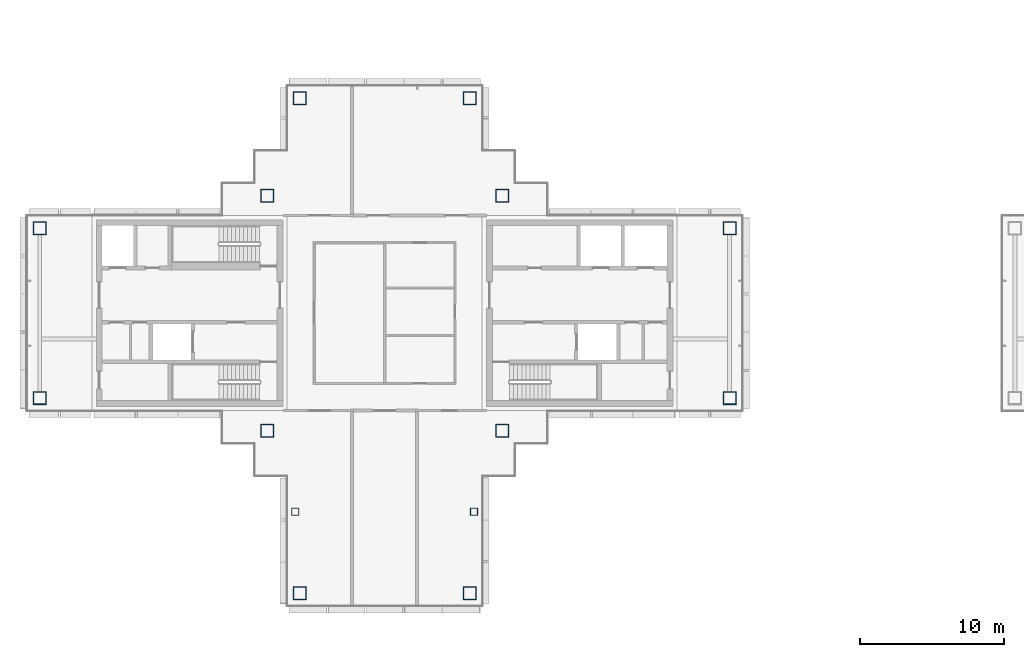
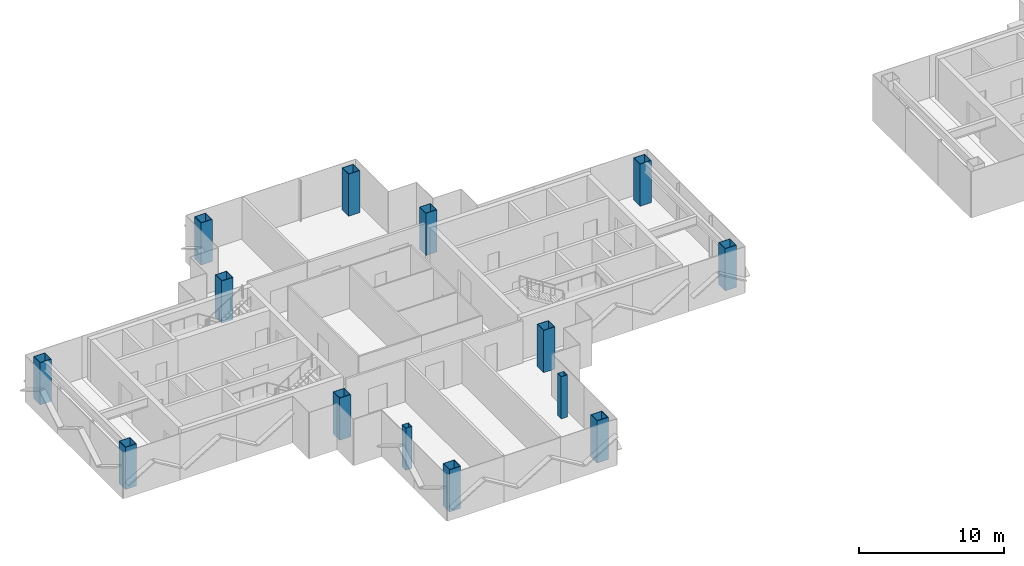
# One storey, part 1 of 17: 14 columns.
"""IFC4 building model written with IfcOpenShell, lengths in metres."""

import ifcopenshell
import ifcopenshell.guid

model = None  # the IFC model being written
_history = None  # IfcOwnerHistory: only IFC2X3 demands one
_inside = {}  # id of a spatial element -> (the spatial element, [elements in it])
_under = {}  # id of a project, library or spatial element -> (it, [spatial elements below it])
_declared = {}  # id of a project -> (the project, [libraries it declares])
_typed = {}  # id of a type object -> (the type object, [elements of that type])
_made_of = {}  # id of a material, layer set ... -> (it, [elements and type objects made of it])


def new_model(schema):
    """Start an empty IFC model of exactly this schema.

    Asked for "IFC4X3", IfcOpenShell would pick the latest addendum, in which some entities
    have other attributes; the version numbers below select the first issue.
    IFC2X3 requires an IfcOwnerHistory on every rooted entity: one is made here for all.
    """
    global model, _history
    if schema == "IFC4X3":
        model = ifcopenshell.file(schema_version=(4, 3, 0, 0))
    else:
        model = ifcopenshell.file(schema=schema)
    _inside.clear()
    _under.clear()
    _declared.clear()
    _typed.clear()
    _made_of.clear()
    _history = None
    if model.schema == "IFC2X3":
        org = make("IfcOrganization", Name="unknown")
        user = make(
            "IfcPersonAndOrganization",
            ThePerson=make("IfcPerson", FamilyName="unknown"),
            TheOrganization=org,
        )
        app = make(
            "IfcApplication",
            ApplicationDeveloper=org,
            Version="unknown",
            ApplicationFullName="unknown",
            ApplicationIdentifier="unknown",
        )
        _history = make(
            "IfcOwnerHistory",
            OwningUser=user,
            OwningApplication=app,
            ChangeAction="ADDED",
            CreationDate=0,
        )
    return model


def make(cls, **values):
    """One entity of the class cls with the attributes given. An attribute that is None is left unset."""
    return model.create_entity(
        cls, **{name: value for name, value in values.items() if value is not None}
    )


def rooted(cls, **values):
    """An entity with a GlobalId (a new one), such as an element, a storey or a relation."""
    return make(cls, GlobalId=ifcopenshell.guid.new(), OwnerHistory=_history, **values)


def si_unit(unit_type, name, prefix=None):
    """IfcSIUnit, for example si_unit("LENGTHUNIT", "METRE", prefix="MILLI")."""
    return make("IfcSIUnit", UnitType=unit_type, Prefix=prefix, Name=name)


def assignment(units):
    """IfcUnitAssignment: the units of a project."""
    return None if units is None else make("IfcUnitAssignment", Units=units)


def point(xyz):
    """IfcCartesianPoint."""
    return None if xyz is None else make("IfcCartesianPoint", Coordinates=xyz)


def direction(xyz):
    """IfcDirection."""
    return None if xyz is None else make("IfcDirection", DirectionRatios=xyz)


def frame(location, z_axis=None, x_axis=None):
    """IfcAxis2Placement3D, a coordinate frame: its origin and axes. An axis left out is left unset."""
    return make(
        "IfcAxis2Placement3D",
        Location=point(location),
        Axis=direction(z_axis),
        RefDirection=direction(x_axis),
    )


def frame_2d(location, x_axis=None):
    """IfcAxis2Placement2D, a coordinate frame in the plane: its origin and x axis."""
    return make(
        "IfcAxis2Placement2D", Location=point(location), RefDirection=direction(x_axis)
    )


def origin():
    """The frame at (0, 0, 0) with its axes left unset."""
    return frame((0.0, 0.0, 0.0))


def origin_2d():
    """The frame at (0, 0) in the plane with its x axis left unset."""
    return frame_2d((0.0, 0.0))


def place(relative_to, where):
    """IfcLocalPlacement: puts the frame where relative to a parent placement (None: the world)."""
    return make(
        "IfcLocalPlacement", PlacementRelTo=relative_to, RelativePlacement=where
    )


def context(
    kind, dimensions, precision=None, world=None, true_north=None, identifier=None
):
    """IfcGeometricRepresentationContext, for example the 3D "Model" context."""
    return make(
        "IfcGeometricRepresentationContext",
        ContextIdentifier=identifier,
        ContextType=kind,
        CoordinateSpaceDimension=dimensions,
        Precision=precision,
        WorldCoordinateSystem=world,
        TrueNorth=true_north,
    )


def subcontext(parent, identifier, kind, view, scale=None):
    """IfcGeometricRepresentationSubContext, for example "Body" below "Model"."""
    return make(
        "IfcGeometricRepresentationSubContext",
        ContextIdentifier=identifier,
        ContextType=kind,
        ParentContext=parent,
        TargetScale=scale,
        TargetView=view,
    )


def project(units=None, contexts=None):
    """IfcProject with its units and contexts."""
    return rooted(
        "IfcProject",
        Name="project",
        RepresentationContexts=contexts,
        UnitsInContext=assignment(units),
    )


def spatial(cls, under=None, at=None, **own):
    """A site, building, storey or space (cls), placed at a placement, below another one or the project."""
    s = rooted(cls, ObjectPlacement=at, **own)
    if under is not None:
        _under.setdefault(under.id(), (under, []))[1].append(s)
    return s


def profile(cls, at=None, kind="AREA", **sizes):
    """A parametric profile (cls). Its sizes go by their IFC names, for example OverallWidth=200.0."""
    return make(cls, ProfileType=kind, Position=at, **sizes)


def hollow_rectangle(**sizes):
    """IfcRectangleHollowProfileDef."""
    return profile("IfcRectangleHollowProfileDef", **sizes)


def extrude(swept, where, along, depth):
    """IfcExtrudedAreaSolid: the profile swept, set in the frame where, extruded along a direction by depth."""
    return make(
        "IfcExtrudedAreaSolid",
        SweptArea=swept,
        Position=where,
        ExtrudedDirection=direction(along),
        Depth=depth,
    )


def shape(context_of_items, identifier, shape_type, items):
    """IfcShapeRepresentation: the items that make up one representation, for example the "Body"."""
    return make(
        "IfcShapeRepresentation",
        ContextOfItems=context_of_items,
        RepresentationIdentifier=identifier,
        RepresentationType=shape_type,
        Items=items,
    )


def material(Name=None, Category=None):
    """IfcMaterial."""
    return make("IfcMaterial", Name=Name, Category=Category)


def material_profile(
    of_material, cross_section, Name=None, Category=None, Priority=None
):
    """IfcMaterialProfile: a cross section and its material."""
    return make(
        "IfcMaterialProfile",
        Name=Name,
        Material=of_material,
        Profile=cross_section,
        Priority=Priority,
        Category=Category,
    )


def profile_set(profiles, Name=None, composite=None):
    """IfcMaterialProfileSet."""
    return make(
        "IfcMaterialProfileSet",
        Name=Name,
        MaterialProfiles=profiles,
        CompositeProfile=composite,
    )


def made_of(thing, what):
    """Note that an element or type object is made of a material, layer set ...; save() writes the relation."""
    if what is not None:
        _made_of.setdefault(what.id(), (what, []))[1].append(thing)
    return thing


def type_object(cls, material=None, **own):
    """A type object (cls), such as IfcWallType, which elements share."""
    return made_of(rooted(cls, **own), material)


def element(
    cls,
    number,
    at=None,
    inside=None,
    cuts=None,
    type_object=None,
    material=None,
    context=None,
    identifier="Body",
    shape_type=None,
    held_by="IfcProductDefinitionShape",
    body=None,
    shapes=None,
    **own,
):
    """One element of the class cls, such as IfcWall. Its Tag is "e" and its number.

    at: its placement. inside: the storey or other place that contains it. cuts: it is an
    opening in that element (IfcRelVoidsElement). A single representation is given by context,
    identifier, shape_type and body (its items); several are given by shapes. held_by: the class
    of the entity that holds the representations. save() writes the other relations.
    """
    e = rooted(cls, Tag="e%d" % number, ObjectPlacement=at, **own)
    if body is not None:
        shapes = [shape(context, identifier, shape_type, body)]
    if shapes is not None:
        e.Representation = make(held_by, Representations=shapes)
    if inside is not None:
        _inside.setdefault(inside.id(), (inside, []))[1].append(e)
    if cuts is not None:
        rooted(
            "IfcRelVoidsElement", RelatingBuildingElement=cuts, RelatedOpeningElement=e
        )
    if type_object is not None:
        _typed.setdefault(type_object.id(), (type_object, []))[1].append(e)
    return made_of(e, material)


def aggregate(whole, parts):
    """IfcRelAggregates: a whole, such as a stair, and the parts it consists of."""
    return rooted("IfcRelAggregates", RelatingObject=whole, RelatedObjects=parts)


def save(model, path):
    """Write the relations noted so far, then the file.

    IfcRelAggregates (storeys below a building ...), IfcRelContainedInSpatialStructure (elements
    in a storey), IfcRelDefinesByType, IfcRelAssociatesMaterial and IfcRelDeclares: one each for
    every whole, place, type object, material and project.
    """
    for whole, parts in _under.values():
        aggregate(whole, parts)
    for where, things in _inside.values():
        rooted(
            "IfcRelContainedInSpatialStructure",
            RelatedElements=things,
            RelatingStructure=where,
        )
    for kind, things in _typed.values():
        rooted("IfcRelDefinesByType", RelatedObjects=things, RelatingType=kind)
    for what, things in _made_of.values():
        rooted("IfcRelAssociatesMaterial", RelatedObjects=things, RelatingMaterial=what)
    for by, libraries in _declared.values():
        rooted("IfcRelDeclares", RelatingContext=by, RelatedDefinitions=libraries)
    model.write(path)


model = new_model("IFC4")

# Units and contexts
model_context = context("Model", 3, precision=1e-05, world=origin(), true_north=direction((0.0, 1.0)))
body_context = subcontext(model_context, "Body", "Model", "MODEL_VIEW")
ifc_project = project(units=[si_unit("LENGTHUNIT", "METRE"), si_unit("AREAUNIT", "SQUARE_METRE"), si_unit("VOLUMEUNIT", "CUBIC_METRE"), si_unit("PLANEANGLEUNIT", "RADIAN"), si_unit("MASSUNIT", "GRAM", prefix="KILO")], contexts=[model_context])

# Site, building, storey
site_placement = place(None, origin())
site = spatial("IfcSite", under=ifc_project, at=site_placement, CompositionType="ELEMENT")
building_placement = place(site_placement, origin())
building = spatial("IfcBuilding", under=site, at=building_placement, Name="Shamsa Quay Exchange Towers", CompositionType="ELEMENT")
storey_placement = place(building_placement, frame((0.0, 0.0, 257.699951171875)))
storey = spatial("IfcBuildingStorey", under=building, at=storey_placement, Name="L62", CompositionType="ELEMENT", Elevation=257.699951171875)

# Columns
ifc_material_1 = material(Name="Concrete-filled steel tube S355 / C60/75", Category="concrete")
ifc_material_profile_1 = material_profile(ifc_material_1, hollow_rectangle(XDim=0.5, YDim=0.5, WallThickness=0.01611328125, at=origin_2d()), Name="CFT 500x500x16")
ifc_profile_set_1 = profile_set([ifc_material_profile_1], Name="Concrete-filled steel tube S355 / C60/75")
column_type_1 = type_object("IfcColumnType", Name="Column CFT 500x500x16", PredefinedType="COLUMN", material=ifc_profile_set_1)
for number, where, name in (
    (1, (-39.9375, -13.75, 0.0), "Perimeter column T1-CP19"),
    (2, (-27.5625, -13.75, 0.0), "Perimeter column T1-CP22"),
):
    element("IfcColumn", number, at=place(storey_placement, frame(where)), inside=storey, type_object=column_type_1, Name=name, PredefinedType="COLUMN", context=body_context, shape_type="SweptSolid", body=[
        extrude(hollow_rectangle(XDim=0.5, YDim=0.5, WallThickness=0.01611328125, at=origin_2d()), origin(), (0.0, 0.0, 1.0), 3.550048828125),
    ])
ifc_material_2 = material(Name="Concrete-filled steel tube S355 / C80/95", Category="concrete")
ifc_material_profile_2 = material_profile(ifc_material_2, hollow_rectangle(XDim=0.89990234375, YDim=0.89990234375, WallThickness=0.035888671875, at=origin_2d()), Name="CFT 900x900x36")
ifc_profile_set_2 = profile_set([ifc_material_profile_2], Name="Concrete-filled steel tube S355 / C80/95")
column_type_2 = type_object("IfcColumnType", Name="Column CFT 900x900x36", PredefinedType="COLUMN", material=ifc_profile_set_2)
for number, where, name in (
    (3, (-25.625, 8.125, 0.0), "Mega column T1-CM01"),
    (4, (-25.625, -8.125, 0.0), "Mega column T1-CM02"),
    (5, (-41.875, 8.125, 0.0), "Mega column T1-CM03"),
    (6, (-41.875, -8.125, 0.0), "Mega column T1-CM04"),
    (7, (-9.875, -5.875, 0.0), "Mega column T1-CM05"),
    (8, (-9.875, 5.875, 0.0), "Mega column T1-CM07"),
    (9, (-57.625, -5.875, 0.0), "Mega column T1-CM09"),
    (10, (-57.625, 5.875, 0.0), "Mega column T1-CM11"),
    (11, (-39.625, 14.875, 0.0), "Mega column T1-CM13"),
    (12, (-27.875, 14.875, 0.0), "Mega column T1-CM16"),
    (13, (-39.625, -19.375, 0.0), "Mega column T1-CM20"),
    (14, (-27.875, -19.375, 0.0), "Mega column T1-CM23"),
):
    element("IfcColumn", number, at=place(storey_placement, frame(where)), inside=storey, type_object=column_type_2, Name=name, PredefinedType="COLUMN", context=body_context, shape_type="SweptSolid", body=[
        extrude(hollow_rectangle(XDim=0.89990234375, YDim=0.89990234375, WallThickness=0.035888671875, at=origin_2d()), origin(), (0.0, 0.0, 1.0), 3.550048828125),
    ])

save(model, "model.ifc")
